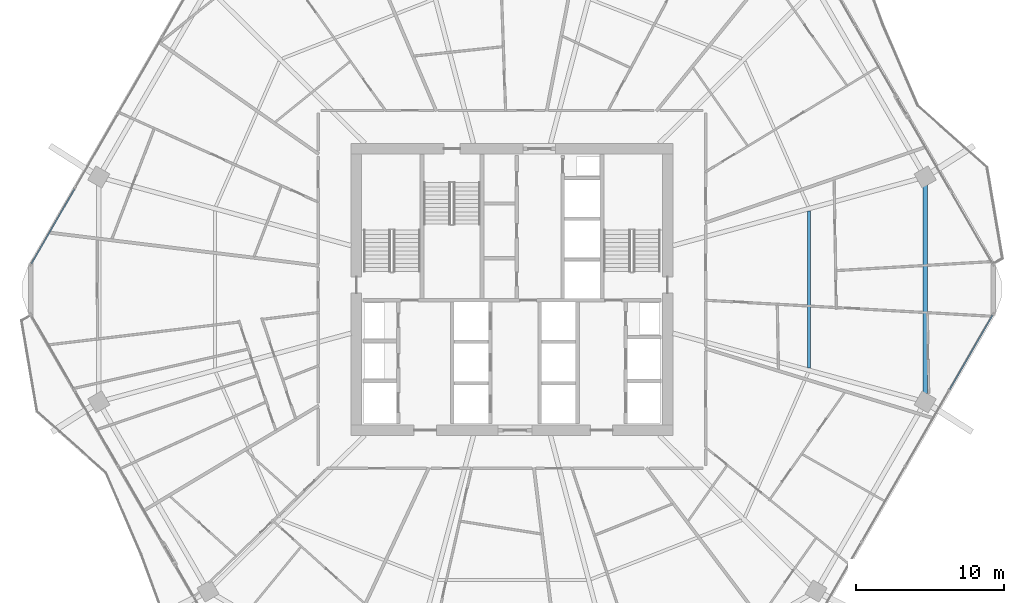
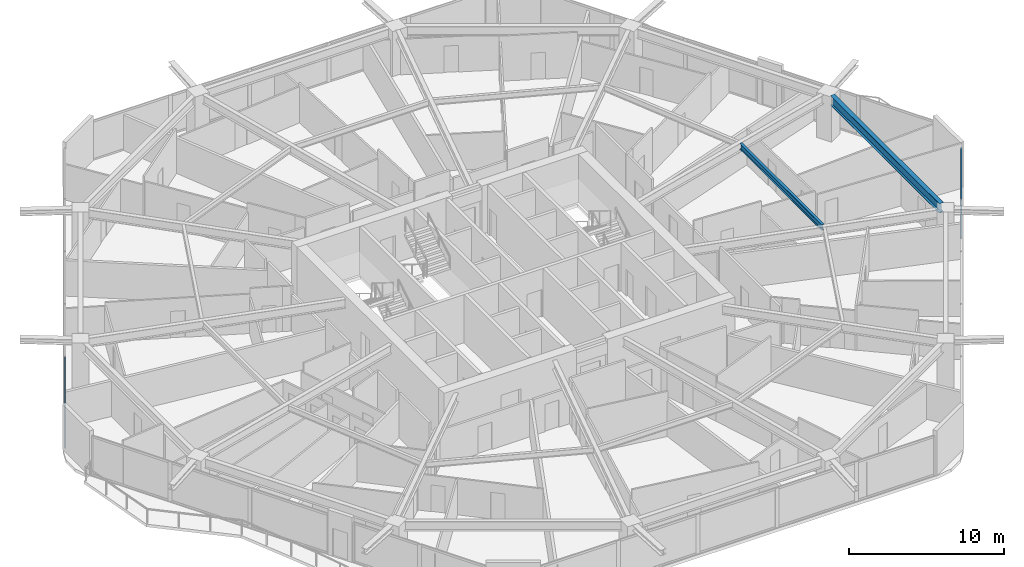
# One storey, part 12 of 32: 4 members, 2 beams, 2 elements without a shape of their own.
"""IFC4 building model written with IfcOpenShell, lengths in metres."""

from ifc_helpers import new_model, si_unit, direction, frame, origin, origin_2d, place, context, subcontext, project, spatial, hollow_rectangle, i_section, extrude, material, material_profile, profile_set, type_object, element, aggregate, save


model = new_model("IFC4")

# Units and contexts
model_context = context("Model", 3, precision=1e-05, world=origin(), true_north=direction((0.0, 1.0)))
body_context = subcontext(model_context, "Body", "Model", "MODEL_VIEW")
ifc_project = project(units=[si_unit("LENGTHUNIT", "METRE"), si_unit("AREAUNIT", "SQUARE_METRE"), si_unit("VOLUMEUNIT", "CUBIC_METRE"), si_unit("PLANEANGLEUNIT", "RADIAN"), si_unit("MASSUNIT", "GRAM", prefix="KILO")], contexts=[model_context])

# Site, building, storey
site_placement = place(None, origin())
site = spatial("IfcSite", under=ifc_project, at=site_placement, CompositionType="ELEMENT")
building_placement = place(site_placement, origin())
building = spatial("IfcBuilding", under=site, at=building_placement, Name="Zuhravey Tower", CompositionType="ELEMENT")
storey_placement = place(building_placement, frame((0.0, 0.0, 111.39990234375)))
storey = spatial("IfcBuildingStorey", under=building, at=storey_placement, Name="L27", CompositionType="ELEMENT", Elevation=111.39990234375)

# Curtain wall, members
ifc_material_1 = material(Name="Thermally broken anodised aluminium", Category="aluminium")
curtain_wall_type = type_object("IfcCurtainWallType", Name="Zone 1-2 Residential Curtain Wall CW3", PredefinedType="NOTDEFINED", material=ifc_material_1)
curtain_wall_1_placement = place(storey_placement, origin())
curtain_wall_1 = element("IfcCurtainWall", 1, at=curtain_wall_1_placement, inside=storey, type_object=curtain_wall_type, Name="L27 CW3 CW-L27-F6-1", PredefinedType="NOTDEFINED")
ifc_material_2 = material(Name="Anodised aluminium", Category="aluminium")
ifc_material_profile_1 = material_profile(ifc_material_2, hollow_rectangle(XDim=0.090087890625, YDim=0.14990234375, WallThickness=0.0048828125, at=origin_2d()), Name="ALU-RHS-90x150x5")
ifc_profile_set_1 = profile_set([ifc_material_profile_1], Name="Anodised aluminium")
member_type = type_object("IfcMemberType", Name="Curtain-Wall Transom 90x150", PredefinedType="USERDEFINED", material=ifc_profile_set_1)
member_1_placement = place(storey_placement, frame((68.43359375, 30.259521484375, 0.045166015625), z_axis=(-0.500024450573, -0.866011286779, 0.0), x_axis=(0.866011286779, -0.500024450573, 0.0)))
member_1 = element("IfcMember", 2, at=member_1_placement, type_object=member_type, Name="CW3 transom 1.1", ObjectType="TRANSOM", PredefinedType="USERDEFINED", context=body_context, shape_type="SweptSolid", body=[
    extrude(hollow_rectangle(XDim=0.090087890625, YDim=0.14990234375, WallThickness=0.0048828125, at=origin_2d()), origin(), (0.0, 0.0, 1.0), 5.784912109375),
])
member_2_placement = place(storey_placement, frame((68.43359375, 30.259521484375, 3.0771484375), z_axis=(-0.500024450573, -0.866011286779, 0.0), x_axis=(0.866011286779, -0.500024450573, 0.0)))
member_2 = element("IfcMember", 3, at=member_2_placement, type_object=member_type, Name="CW3 transom 1.2", ObjectType="TRANSOM", PredefinedType="USERDEFINED", context=body_context, shape_type="SweptSolid", body=[
    extrude(hollow_rectangle(XDim=0.090087890625, YDim=0.14990234375, WallThickness=0.0048828125, at=origin_2d()), origin(), (0.0, 0.0, 1.0), 5.784912109375),
])
aggregate(curtain_wall_1, [member_1, member_2])

curtain_wall_2_placement = place(storey_placement, origin())
curtain_wall_2 = element("IfcCurtainWall", 4, at=curtain_wall_2_placement, inside=storey, type_object=curtain_wall_type, Name="L27 CW3 CW-L27-F3-1", PredefinedType="NOTDEFINED")
member_3_placement = place(storey_placement, frame((3.56640625, 33.740478515625, 0.045166015625), z_axis=(0.500024450573, 0.866011286779, 0.0), x_axis=(-0.866011286779, 0.500024450573, 0.0)))
member_3 = element("IfcMember", 5, at=member_3_placement, type_object=member_type, Name="CW3 transom 1.1", ObjectType="TRANSOM", PredefinedType="USERDEFINED", context=body_context, shape_type="SweptSolid", body=[
    extrude(hollow_rectangle(XDim=0.090087890625, YDim=0.14990234375, WallThickness=0.0048828125, at=origin_2d()), origin(), (0.0, 0.0, 1.0), 5.784912109375),
])
member_4_placement = place(storey_placement, frame((3.56640625, 33.740478515625, 3.0771484375), z_axis=(0.500024450573, 0.866011286779, 0.0), x_axis=(-0.866011286779, 0.500024450573, 0.0)))
member_4 = element("IfcMember", 6, at=member_4_placement, type_object=member_type, Name="CW3 transom 1.2", ObjectType="TRANSOM", PredefinedType="USERDEFINED", context=body_context, shape_type="SweptSolid", body=[
    extrude(hollow_rectangle(XDim=0.090087890625, YDim=0.14990234375, WallThickness=0.0048828125, at=origin_2d()), origin(), (0.0, 0.0, 1.0), 5.784912109375),
])
aggregate(curtain_wall_2, [member_3, member_4])

# Beams
ifc_material_3 = material(Name="Steel SM355", Category="steel")
ifc_material_profile_2 = material_profile(ifc_material_3, i_section(OverallWidth=0.320068359375, OverallDepth=0.75, WebThickness=0.013916015625, FlangeThickness=0.02490234375, at=origin_2d()), Name="H-750x320x14x25")
ifc_profile_set_2 = profile_set([ifc_material_profile_2], Name="Steel SM355")
beam_type_1 = type_object("IfcBeamType", Name="Perimeter Ring Beam H750x320", PredefinedType="BEAM", material=ifc_profile_set_2)
beam_1_placement = place(storey_placement, frame((63.88916015625, 24.96142578125, 3.175048828125), z_axis=(0.0, 1.0, 0.0), x_axis=(-1.0, 0.0, 0.0)))
element("IfcBeam", 7, at=beam_1_placement, inside=storey, type_object=beam_type_1, Name="L27 PB1 BM-L27-PB-12", PredefinedType="BEAM", context=body_context, shape_type="SweptSolid", body=[
    extrude(i_section(OverallWidth=0.320068359375, OverallDepth=0.75, WebThickness=0.013916015625, FlangeThickness=0.02490234375, at=origin_2d()), origin(), (0.0, 0.0, 1.0), 14.0771484375),
])
ifc_material_profile_3 = material_profile(ifc_material_3, i_section(OverallWidth=0.199951171875, OverallDepth=0.449951171875, WebThickness=0.009033203125, FlangeThickness=0.013916015625, at=origin_2d()), Name="H-450x200x9x14")
ifc_profile_set_3 = profile_set([ifc_material_profile_3], Name="Steel SM355")
beam_type_2 = type_object("IfcBeamType", Name="Secondary Floor Joist H450x200", PredefinedType="JOIST", material=ifc_profile_set_3)
beam_2_placement = place(storey_placement, frame((56.052490234375, 26.695556640625, 3.3251953125), z_axis=(0.0, 1.0, 0.0), x_axis=(-1.0, 0.0, 0.0)))
element("IfcBeam", 8, at=beam_2_placement, inside=storey, type_object=beam_type_2, Name="L27 SJ1 BM-L27-SJ-12-1", PredefinedType="JOIST", context=body_context, shape_type="SweptSolid", body=[
    extrude(i_section(OverallWidth=0.199951171875, OverallDepth=0.449951171875, WebThickness=0.009033203125, FlangeThickness=0.013916015625, at=origin_2d()), origin(), (0.0, 0.0, 1.0), 10.60888671875),
])

save(model, "model.ifc")
